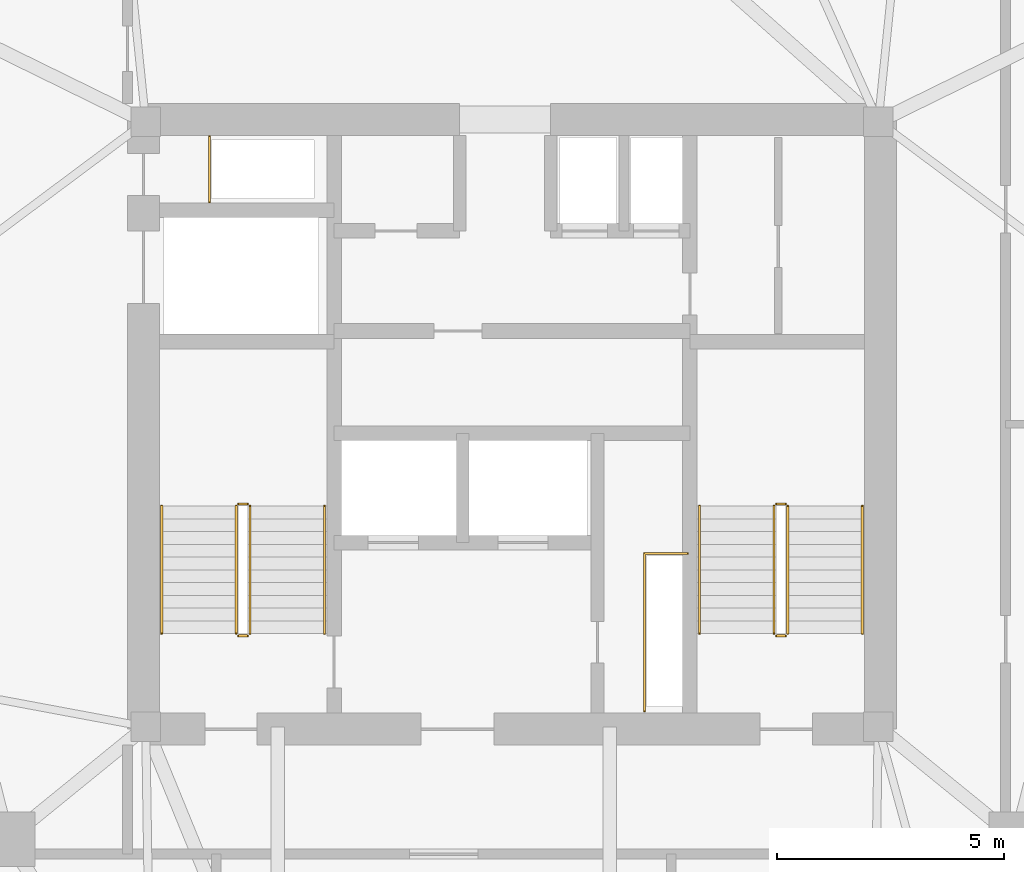
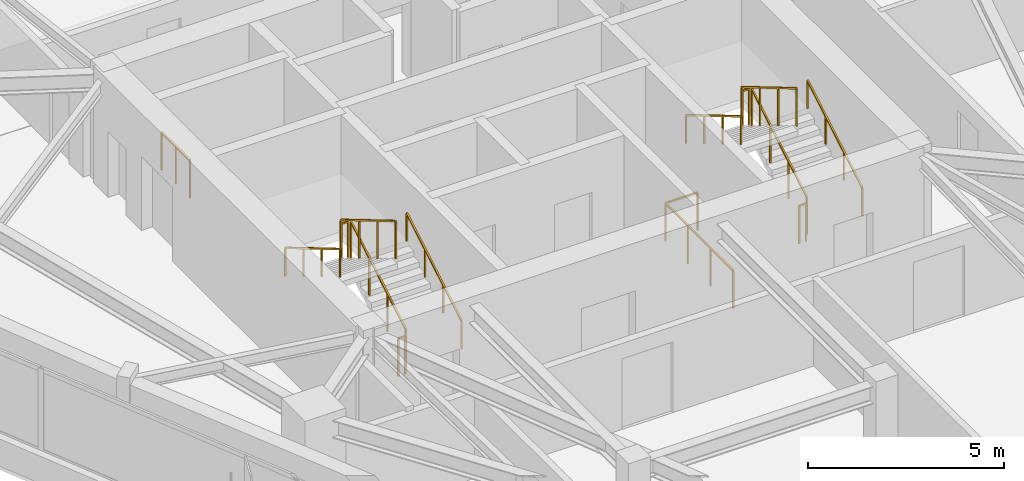
# One storey, part 11 of 12: 14 railings.
"""IFC4 building model written with IfcOpenShell, lengths in metres."""

from ifc_helpers import new_model, si_unit, direction, frame, origin, origin_2d, place, context, subcontext, project, spatial, rectangle, extrude, material, type_object, element, save


model = new_model("IFC4")

# Units and contexts
model_context = context("Model", 3, precision=1e-05, world=origin(), true_north=direction((0.0, 1.0)))
body_context = subcontext(model_context, "Body", "Model", "MODEL_VIEW")
ifc_project = project(units=[si_unit("LENGTHUNIT", "METRE"), si_unit("AREAUNIT", "SQUARE_METRE"), si_unit("VOLUMEUNIT", "CUBIC_METRE"), si_unit("PLANEANGLEUNIT", "RADIAN"), si_unit("MASSUNIT", "GRAM", prefix="KILO")], contexts=[model_context])

# Site, building, storey
site_placement = place(None, origin())
site = spatial("IfcSite", under=ifc_project, at=site_placement, CompositionType="ELEMENT")
building_placement = place(site_placement, origin())
building = spatial("IfcBuilding", under=site, at=building_placement, Name="Talyreon Biosciences Tower", CompositionType="ELEMENT")
storey_placement = place(building_placement, frame((0.0, 0.0, 268.10009765625)))
storey = spatial("IfcBuildingStorey", under=building, at=storey_placement, Name="L71", CompositionType="ELEMENT", Elevation=268.10009765625)

# Railings
ifc_material_1 = material(Name="Brushed stainless-steel tubular handrail", Category="steel")
railing_type_1 = type_object("IfcRailingType", Name="StairWallHandrail_900", PredefinedType="HANDRAIL", material=ifc_material_1)
railing_1_placement = place(storey_placement, frame((61.8798828125, 63.39990234375, 0.165771484375)))
element("IfcRailing", 1, at=railing_1_placement, inside=storey, type_object=railing_type_1, Name="L71 ST-1 stair handrail 1", PredefinedType="HANDRAIL", context=body_context, shape_type="SweptSolid", body=[
    extrude(rectangle(XDim=0.048095703125, YDim=0.048095703125, at=origin_2d()), frame((0.0, 0.0, 0.8759765625), z_axis=(0.0, 0.860306154799, 0.50977771628), x_axis=(-1.0, 0.0, 0.0)), (0.0, 0.0, 1.0), 3.254638671875),
    extrude(rectangle(XDim=0.0419921875, YDim=0.0419921875, at=origin_2d()), origin(), (0.0, 0.0, 1.0), 0.851806640625),
    extrude(rectangle(XDim=0.0419921875, YDim=0.0419921875, at=origin_2d()), frame((0.0, 0.933349609375, 0.552978515625)), (0.0, 0.0, 1.0), 0.851806640625),
    extrude(rectangle(XDim=0.0419921875, YDim=0.0419921875, at=origin_2d()), frame((0.0, 1.86669921875, 1.106201171875)), (0.0, 0.0, 1.0), 0.851806640625),
    extrude(rectangle(XDim=0.0419921875, YDim=0.0419921875, at=origin_2d()), frame((0.0, 2.800048828125, 1.6591796875)), (0.0, 0.0, 1.0), 0.851806640625),
])
railing_2_placement = place(storey_placement, frame((58.300048828125, 66.199951171875, 1.99072265625)))
element("IfcRailing", 2, at=railing_2_placement, inside=storey, type_object=railing_type_1, Name="L71 ST-1 stair handrail 2", PredefinedType="HANDRAIL", context=body_context, shape_type="SweptSolid", body=[
    extrude(rectangle(XDim=0.048095703125, YDim=0.048095703125, at=origin_2d()), frame((0.0, 0.0, 0.8759765625), z_axis=(0.0, -0.860306154799, 0.50977771628), x_axis=(1.0, 0.0, 0.0)), (0.0, 0.0, 1.0), 3.254638671875),
    extrude(rectangle(XDim=0.0419921875, YDim=0.0419921875, at=origin_2d()), origin(), (0.0, 0.0, 1.0), 0.851806640625),
    extrude(rectangle(XDim=0.0419921875, YDim=0.0419921875, at=origin_2d()), frame((0.0, -0.933349609375, 0.552978515625)), (0.0, 0.0, 1.0), 0.851806640625),
    extrude(rectangle(XDim=0.0419921875, YDim=0.0419921875, at=origin_2d()), frame((0.0, -1.86669921875, 1.106201171875)), (0.0, 0.0, 1.0), 0.851806640625),
    extrude(rectangle(XDim=0.0419921875, YDim=0.0419921875, at=origin_2d()), frame((0.0, -2.800048828125, 1.6591796875)), (0.0, 0.0, 1.0), 0.851806640625),
])
railing_3_placement = place(storey_placement, frame((73.699951171875, 63.39990234375, 0.165771484375)))
element("IfcRailing", 3, at=railing_3_placement, inside=storey, type_object=railing_type_1, Name="L71 ST-2 stair handrail 1", PredefinedType="HANDRAIL", context=body_context, shape_type="SweptSolid", body=[
    extrude(rectangle(XDim=0.048095703125, YDim=0.048095703125, at=origin_2d()), frame((0.0, 0.0, 0.8759765625), z_axis=(0.0, 0.860306154799, 0.50977771628), x_axis=(-1.0, 0.0, 0.0)), (0.0, 0.0, 1.0), 3.254638671875),
    extrude(rectangle(XDim=0.0419921875, YDim=0.0419921875, at=origin_2d()), origin(), (0.0, 0.0, 1.0), 0.851806640625),
    extrude(rectangle(XDim=0.0419921875, YDim=0.0419921875, at=origin_2d()), frame((0.0, 0.933349609375, 0.552978515625)), (0.0, 0.0, 1.0), 0.851806640625),
    extrude(rectangle(XDim=0.0419921875, YDim=0.0419921875, at=origin_2d()), frame((0.0, 1.86669921875, 1.106201171875)), (0.0, 0.0, 1.0), 0.851806640625),
    extrude(rectangle(XDim=0.0419921875, YDim=0.0419921875, at=origin_2d()), frame((0.0, 2.800048828125, 1.6591796875)), (0.0, 0.0, 1.0), 0.851806640625),
])
railing_4_placement = place(storey_placement, frame((70.1201171875, 66.199951171875, 1.99072265625)))
element("IfcRailing", 4, at=railing_4_placement, inside=storey, type_object=railing_type_1, Name="L71 ST-2 stair handrail 2", PredefinedType="HANDRAIL", context=body_context, shape_type="SweptSolid", body=[
    extrude(rectangle(XDim=0.048095703125, YDim=0.048095703125, at=origin_2d()), frame((0.0, 0.0, 0.8759765625), z_axis=(0.0, -0.860306154799, 0.50977771628), x_axis=(1.0, 0.0, 0.0)), (0.0, 0.0, 1.0), 3.254638671875),
    extrude(rectangle(XDim=0.0419921875, YDim=0.0419921875, at=origin_2d()), origin(), (0.0, 0.0, 1.0), 0.851806640625),
    extrude(rectangle(XDim=0.0419921875, YDim=0.0419921875, at=origin_2d()), frame((0.0, -0.933349609375, 0.552978515625)), (0.0, 0.0, 1.0), 0.851806640625),
    extrude(rectangle(XDim=0.0419921875, YDim=0.0419921875, at=origin_2d()), frame((0.0, -1.86669921875, 1.106201171875)), (0.0, 0.0, 1.0), 0.851806640625),
    extrude(rectangle(XDim=0.0419921875, YDim=0.0419921875, at=origin_2d()), frame((0.0, -2.800048828125, 1.6591796875)), (0.0, 0.0, 1.0), 0.851806640625),
])
ifc_material_2 = material(Name="Painted galvanised steel post-and-rail balustrade", Category="steel")
railing_type_2 = type_object("IfcRailingType", Name="TerraceStairGuard_1200", PredefinedType="GUARDRAIL", material=ifc_material_2)
railing_5_placement = place(storey_placement, frame((60.239990234375, 63.39990234375, 0.165771484375)))
element("IfcRailing", 5, at=railing_5_placement, inside=storey, type_object=railing_type_2, Name="L71 ST-1 stair guard 1", PredefinedType="GUARDRAIL", context=body_context, shape_type="SweptSolid", body=[
    extrude(rectangle(XDim=0.048095703125, YDim=0.048095703125, at=origin_2d()), frame((0.0, 0.0, 1.17578125), z_axis=(0.0, 0.860306154799, 0.50977771628), x_axis=(-1.0, 0.0, 0.0)), (0.0, 0.0, 1.0), 3.254638671875),
    extrude(rectangle(XDim=0.0419921875, YDim=0.0419921875, at=origin_2d()), origin(), (0.0, 0.0, 1.0), 1.15185546875),
    extrude(rectangle(XDim=0.0419921875, YDim=0.0419921875, at=origin_2d()), frame((0.0, 0.933349609375, 0.552978515625)), (0.0, 0.0, 1.0), 1.15185546875),
    extrude(rectangle(XDim=0.0419921875, YDim=0.0419921875, at=origin_2d()), frame((0.0, 1.86669921875, 1.106201171875)), (0.0, 0.0, 1.0), 1.15185546875),
    extrude(rectangle(XDim=0.0419921875, YDim=0.0419921875, at=origin_2d()), frame((0.0, 2.800048828125, 1.6591796875)), (0.0, 0.0, 1.0), 1.15185546875),
])
railing_6_placement = place(storey_placement, frame((60.18994140625, 66.25, 1.824951171875)))
element("IfcRailing", 6, at=railing_6_placement, inside=storey, type_object=railing_type_2, Name="L71 ST-1 stair guard 2", PredefinedType="GUARDRAIL", context=body_context, shape_type="SweptSolid", body=[
    extrude(rectangle(XDim=0.048095703125, YDim=0.048095703125, at=origin_2d()), frame((0.0, 0.0, 1.17578125), z_axis=(-1.0, 0.0, 0.0), x_axis=(0.0, -1.0, 0.0)), (0.0, 0.0, 1.0), 0.199951171875),
    extrude(rectangle(XDim=0.0419921875, YDim=0.0419921875, at=origin_2d()), origin(), (0.0, 0.0, 1.0), 1.15185546875),
    extrude(rectangle(XDim=0.0419921875, YDim=0.0419921875, at=origin_2d()), frame((-0.199951171875, 0.0, 0.0)), (0.0, 0.0, 1.0), 1.15185546875),
])
railing_7_placement = place(storey_placement, frame((59.93994140625, 66.199951171875, 1.99072265625)))
element("IfcRailing", 7, at=railing_7_placement, inside=storey, type_object=railing_type_2, Name="L71 ST-1 stair guard 3", PredefinedType="GUARDRAIL", context=body_context, shape_type="SweptSolid", body=[
    extrude(rectangle(XDim=0.048095703125, YDim=0.048095703125, at=origin_2d()), frame((0.0, 0.0, 1.17578125), z_axis=(0.0, -0.860306154799, 0.50977771628), x_axis=(1.0, 0.0, 0.0)), (0.0, 0.0, 1.0), 3.254638671875),
    extrude(rectangle(XDim=0.0419921875, YDim=0.0419921875, at=origin_2d()), origin(), (0.0, 0.0, 1.0), 1.15185546875),
    extrude(rectangle(XDim=0.0419921875, YDim=0.0419921875, at=origin_2d()), frame((0.0, -0.933349609375, 0.552978515625)), (0.0, 0.0, 1.0), 1.15185546875),
    extrude(rectangle(XDim=0.0419921875, YDim=0.0419921875, at=origin_2d()), frame((0.0, -1.86669921875, 1.106201171875)), (0.0, 0.0, 1.0), 1.15185546875),
    extrude(rectangle(XDim=0.0419921875, YDim=0.0419921875, at=origin_2d()), frame((0.0, -2.800048828125, 1.6591796875)), (0.0, 0.0, 1.0), 1.15185546875),
])
railing_8_placement = place(storey_placement, frame((60.18994140625, 63.35009765625, 0.0)))
element("IfcRailing", 8, at=railing_8_placement, inside=storey, type_object=railing_type_2, Name="L71 ST-1 stair guard 4", PredefinedType="GUARDRAIL", context=body_context, shape_type="SweptSolid", body=[
    extrude(rectangle(XDim=0.048095703125, YDim=0.048095703125, at=origin_2d()), frame((0.0, 0.0, 1.17578125), z_axis=(-1.0, 0.0, 0.0), x_axis=(0.0, -1.0, 0.0)), (0.0, 0.0, 1.0), 0.199951171875),
    extrude(rectangle(XDim=0.0419921875, YDim=0.0419921875, at=origin_2d()), origin(), (0.0, 0.0, 1.0), 1.15185546875),
    extrude(rectangle(XDim=0.0419921875, YDim=0.0419921875, at=origin_2d()), frame((-0.199951171875, 0.0, 0.0)), (0.0, 0.0, 1.0), 1.15185546875),
])
railing_9_placement = place(storey_placement, frame((72.06005859375, 63.39990234375, 0.165771484375)))
element("IfcRailing", 9, at=railing_9_placement, inside=storey, type_object=railing_type_2, Name="L71 ST-2 stair guard 1", PredefinedType="GUARDRAIL", context=body_context, shape_type="SweptSolid", body=[
    extrude(rectangle(XDim=0.048095703125, YDim=0.048095703125, at=origin_2d()), frame((0.0, 0.0, 1.17578125), z_axis=(0.0, 0.860306154799, 0.50977771628), x_axis=(-1.0, 0.0, 0.0)), (0.0, 0.0, 1.0), 3.254638671875),
    extrude(rectangle(XDim=0.0419921875, YDim=0.0419921875, at=origin_2d()), origin(), (0.0, 0.0, 1.0), 1.15185546875),
    extrude(rectangle(XDim=0.0419921875, YDim=0.0419921875, at=origin_2d()), frame((0.0, 0.933349609375, 0.552978515625)), (0.0, 0.0, 1.0), 1.15185546875),
    extrude(rectangle(XDim=0.0419921875, YDim=0.0419921875, at=origin_2d()), frame((0.0, 1.86669921875, 1.106201171875)), (0.0, 0.0, 1.0), 1.15185546875),
    extrude(rectangle(XDim=0.0419921875, YDim=0.0419921875, at=origin_2d()), frame((0.0, 2.800048828125, 1.6591796875)), (0.0, 0.0, 1.0), 1.15185546875),
])
railing_10_placement = place(storey_placement, frame((72.010009765625, 66.25, 1.824951171875)))
element("IfcRailing", 10, at=railing_10_placement, inside=storey, type_object=railing_type_2, Name="L71 ST-2 stair guard 2", PredefinedType="GUARDRAIL", context=body_context, shape_type="SweptSolid", body=[
    extrude(rectangle(XDim=0.048095703125, YDim=0.048095703125, at=origin_2d()), frame((0.0, 0.0, 1.17578125), z_axis=(-1.0, 0.0, 0.0), x_axis=(0.0, -1.0, 0.0)), (0.0, 0.0, 1.0), 0.199951171875),
    extrude(rectangle(XDim=0.0419921875, YDim=0.0419921875, at=origin_2d()), origin(), (0.0, 0.0, 1.0), 1.15185546875),
    extrude(rectangle(XDim=0.0419921875, YDim=0.0419921875, at=origin_2d()), frame((-0.199951171875, 0.0, 0.0)), (0.0, 0.0, 1.0), 1.15185546875),
])
railing_11_placement = place(storey_placement, frame((71.760009765625, 66.199951171875, 1.99072265625)))
element("IfcRailing", 11, at=railing_11_placement, inside=storey, type_object=railing_type_2, Name="L71 ST-2 stair guard 3", PredefinedType="GUARDRAIL", context=body_context, shape_type="SweptSolid", body=[
    extrude(rectangle(XDim=0.048095703125, YDim=0.048095703125, at=origin_2d()), frame((0.0, 0.0, 1.17578125), z_axis=(0.0, -0.860306154799, 0.50977771628), x_axis=(1.0, 0.0, 0.0)), (0.0, 0.0, 1.0), 3.254638671875),
    extrude(rectangle(XDim=0.0419921875, YDim=0.0419921875, at=origin_2d()), origin(), (0.0, 0.0, 1.0), 1.15185546875),
    extrude(rectangle(XDim=0.0419921875, YDim=0.0419921875, at=origin_2d()), frame((0.0, -0.933349609375, 0.552978515625)), (0.0, 0.0, 1.0), 1.15185546875),
    extrude(rectangle(XDim=0.0419921875, YDim=0.0419921875, at=origin_2d()), frame((0.0, -1.86669921875, 1.106201171875)), (0.0, 0.0, 1.0), 1.15185546875),
    extrude(rectangle(XDim=0.0419921875, YDim=0.0419921875, at=origin_2d()), frame((0.0, -2.800048828125, 1.6591796875)), (0.0, 0.0, 1.0), 1.15185546875),
])
railing_12_placement = place(storey_placement, frame((72.010009765625, 63.35009765625, 0.0)))
element("IfcRailing", 12, at=railing_12_placement, inside=storey, type_object=railing_type_2, Name="L71 ST-2 stair guard 4", PredefinedType="GUARDRAIL", context=body_context, shape_type="SweptSolid", body=[
    extrude(rectangle(XDim=0.048095703125, YDim=0.048095703125, at=origin_2d()), frame((0.0, 0.0, 1.17578125), z_axis=(-1.0, 0.0, 0.0), x_axis=(0.0, -1.0, 0.0)), (0.0, 0.0, 1.0), 0.199951171875),
    extrude(rectangle(XDim=0.0419921875, YDim=0.0419921875, at=origin_2d()), origin(), (0.0, 0.0, 1.0), 1.15185546875),
    extrude(rectangle(XDim=0.0419921875, YDim=0.0419921875, at=origin_2d()), frame((-0.199951171875, 0.0, 0.0)), (0.0, 0.0, 1.0), 1.15185546875),
])
railing_13_placement = place(storey_placement, frame((59.35009765625, 72.8798828125, 0.0)))
element("IfcRailing", 13, at=railing_13_placement, inside=storey, type_object=railing_type_2, Name="L71 Exhaust Riser Maintenance Guardrail", PredefinedType="GUARDRAIL", context=body_context, shape_type="SweptSolid", body=[
    extrude(rectangle(XDim=0.048095703125, YDim=0.048095703125, at=origin_2d()), frame((0.0, 0.0, 1.17578125), z_axis=(0.0, 1.0, 0.0), x_axis=(-1.0, 0.0, 0.0)), (0.0, 0.0, 1.0), 1.4501953125),
    extrude(rectangle(XDim=0.0419921875, YDim=0.0419921875, at=origin_2d()), origin(), (0.0, 0.0, 1.0), 1.15185546875),
    extrude(rectangle(XDim=0.0419921875, YDim=0.0419921875, at=origin_2d()), frame((0.0, 0.72509765625, 0.0)), (0.0, 0.0, 1.0), 1.15185546875),
    extrude(rectangle(XDim=0.0419921875, YDim=0.0419921875, at=origin_2d()), frame((0.0, 1.4501953125, 0.0)), (0.0, 0.0, 1.0), 1.15185546875),
])
railing_14_placement = place(storey_placement, frame((68.909912109375, 61.699951171875, 0.0)))
element("IfcRailing", 14, at=railing_14_placement, inside=storey, type_object=railing_type_2, Name="L71 Electrical Riser Maintenance Guardrail", PredefinedType="GUARDRAIL", context=body_context, shape_type="SweptSolid", body=[
    extrude(rectangle(XDim=0.048095703125, YDim=0.048095703125, at=origin_2d()), frame((0.0, 0.0, 1.17578125), z_axis=(0.0, 1.0, 0.0), x_axis=(-1.0, 0.0, 0.0)), (0.0, 0.0, 1.0), 3.4599609375),
    extrude(rectangle(XDim=0.048095703125, YDim=0.048095703125, at=origin_2d()), frame((0.0, 3.4599609375, 1.17578125), z_axis=(1.0, 0.0, 0.0), x_axis=(0.0, 1.0, 0.0)), (0.0, 0.0, 1.0), 0.9501953125),
    extrude(rectangle(XDim=0.0419921875, YDim=0.0419921875, at=origin_2d()), origin(), (0.0, 0.0, 1.0), 1.15185546875),
    extrude(rectangle(XDim=0.0419921875, YDim=0.0419921875, at=origin_2d()), frame((0.0, 1.1533203125, 0.0)), (0.0, 0.0, 1.0), 1.15185546875),
    extrude(rectangle(XDim=0.0419921875, YDim=0.0419921875, at=origin_2d()), frame((0.0, 2.306640625, 0.0)), (0.0, 0.0, 1.0), 1.15185546875),
    extrude(rectangle(XDim=0.0419921875, YDim=0.0419921875, at=origin_2d()), frame((0.0, 3.4599609375, 0.0)), (0.0, 0.0, 1.0), 1.15185546875),
    extrude(rectangle(XDim=0.0419921875, YDim=0.0419921875, at=origin_2d()), frame((0.9501953125, 3.4599609375, 0.0)), (0.0, 0.0, 1.0), 1.15185546875),
])

save(model, "model.ifc")
